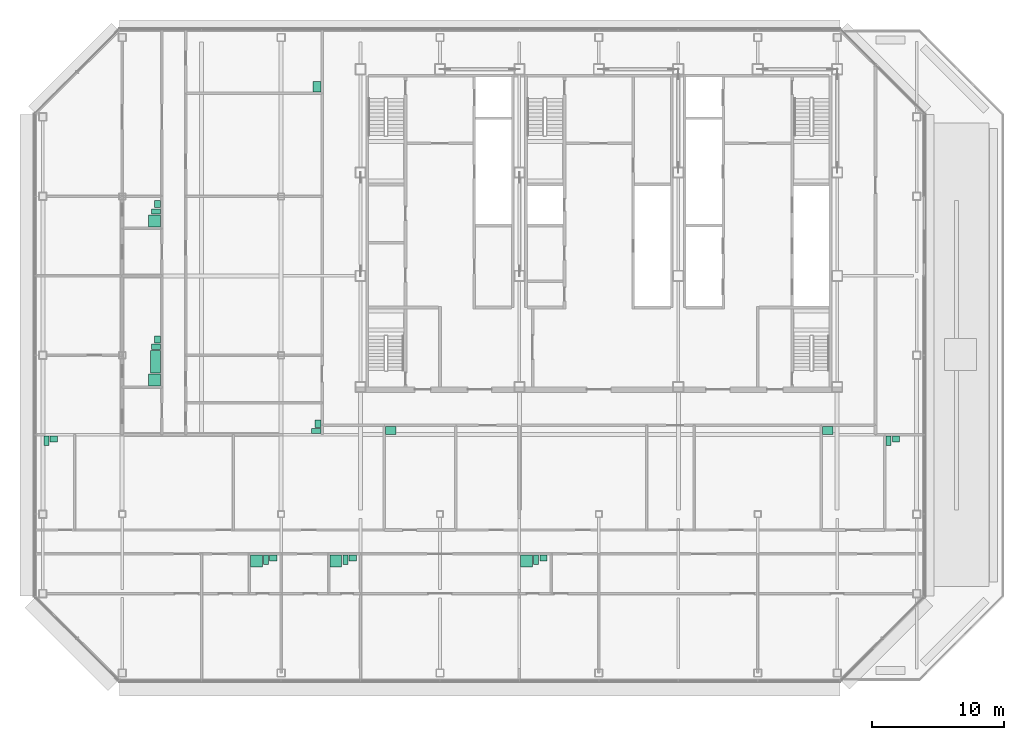
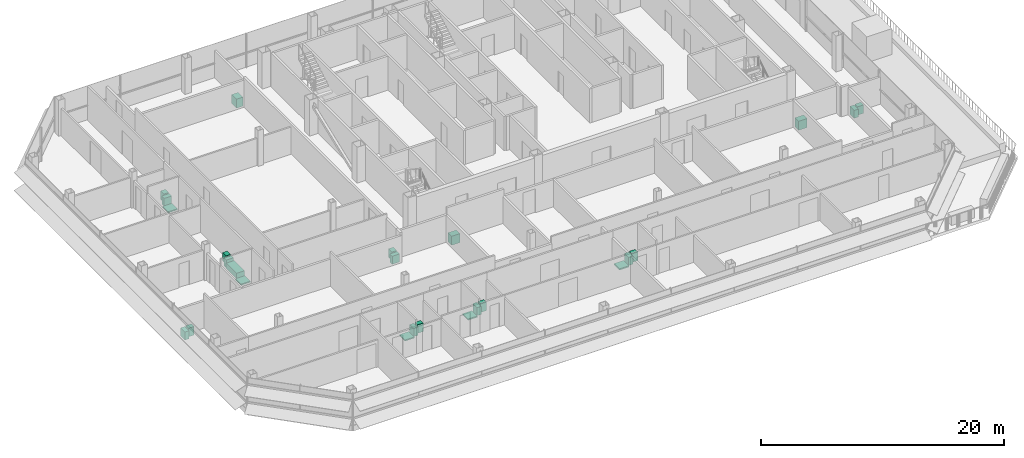
# One storey, part 27 of 28: 25 sanitary terminals.
"""IFC4 building model written with IfcOpenShell, lengths in metres."""

from ifc_helpers import new_model, si_unit, direction, frame, origin, origin_2d, place, context, subcontext, project, spatial, rectangle, extrude, element, save


model = new_model("IFC4")

# Units and contexts
model_context = context("Model", 3, precision=1e-05, world=origin(), true_north=direction((0.0, 1.0)))
body_context = subcontext(model_context, "Body", "Model", "MODEL_VIEW")
ifc_project = project(units=[si_unit("LENGTHUNIT", "METRE"), si_unit("AREAUNIT", "SQUARE_METRE"), si_unit("VOLUMEUNIT", "CUBIC_METRE"), si_unit("PLANEANGLEUNIT", "RADIAN"), si_unit("MASSUNIT", "GRAM", prefix="KILO")], contexts=[model_context])

# Site, building, storey
site_placement = place(None, origin())
site = spatial("IfcSite", under=ifc_project, at=site_placement, CompositionType="ELEMENT")
building_placement = place(site_placement, origin())
building = spatial("IfcBuilding", under=site, at=building_placement, Name="Sorahane Residences", CompositionType="ELEMENT")
storey_placement = place(building_placement, frame((0.0, 0.0, 290.800048828125)))
storey = spatial("IfcBuildingStorey", under=building, at=storey_placement, Name="L68", CompositionType="ELEMENT", Elevation=290.800048828125)

# Sanitary terminals
sanitary_terminal_1_placement = place(storey_placement, frame((-1.8701171875, 8.449951171875, 0.0), z_axis=(0.0, 0.0, 1.0), x_axis=(1.0, 0.0, 0.0)))
element("IfcSanitaryTerminal", 1, at=sanitary_terminal_1_placement, inside=storey, Name="Shower tray En-suite bathroom 68A", PredefinedType="SHOWER", context=body_context, shape_type="SweptSolid", body=[
    extrude(rectangle(XDim=0.89990234375, YDim=0.89990234375, at=origin_2d()), origin(), (0.0, 0.0, 1.0), 0.1201171875),
])
sanitary_terminal_2_placement = place(storey_placement, frame((-1.139892578125, 8.550048828125, 0.0), z_axis=(0.0, 0.0, 1.0), x_axis=(1.0, 0.0, 0.0)))
element("IfcSanitaryTerminal", 2, at=sanitary_terminal_2_placement, inside=storey, Name="WC pan En-suite bathroom 68A", PredefinedType="TOILETPAN", context=body_context, shape_type="SweptSolid", body=[
    extrude(rectangle(XDim=0.39990234375, YDim=0.699951171875, at=origin_2d()), origin(), (0.0, 0.0, 1.0), 0.800048828125),
])
sanitary_terminal_3_placement = place(storey_placement, frame((-0.5849609375, 8.675048828125, 0.0), z_axis=(0.0, 0.0, 1.0), x_axis=(1.0, 0.0, 0.0)))
element("IfcSanitaryTerminal", 3, at=sanitary_terminal_3_placement, inside=storey, Name="Wash basin En-suite bathroom 68A", PredefinedType="WASHHANDBASIN", context=body_context, shape_type="SweptSolid", body=[
    extrude(rectangle(XDim=0.550048828125, YDim=0.449951171875, at=origin_2d()), origin(), (0.0, 0.0, 1.0), 0.85009765625),
])
sanitary_terminal_4_placement = place(storey_placement, frame((4.1298828125, 8.449951171875, 0.0), z_axis=(0.0, 0.0, 1.0), x_axis=(1.0, 0.0, 0.0)))
element("IfcSanitaryTerminal", 4, at=sanitary_terminal_4_placement, inside=storey, Name="Shower tray En-suite bathroom 68A-2", PredefinedType="SHOWER", context=body_context, shape_type="SweptSolid", body=[
    extrude(rectangle(XDim=0.89990234375, YDim=0.89990234375, at=origin_2d()), origin(), (0.0, 0.0, 1.0), 0.1201171875),
])
sanitary_terminal_5_placement = place(storey_placement, frame((4.860107421875, 8.550048828125, 0.0), z_axis=(0.0, 0.0, 1.0), x_axis=(1.0, 0.0, 0.0)))
element("IfcSanitaryTerminal", 5, at=sanitary_terminal_5_placement, inside=storey, Name="WC pan En-suite bathroom 68A-2", PredefinedType="TOILETPAN", context=body_context, shape_type="SweptSolid", body=[
    extrude(rectangle(XDim=0.39990234375, YDim=0.699951171875, at=origin_2d()), origin(), (0.0, 0.0, 1.0), 0.800048828125),
])
sanitary_terminal_6_placement = place(storey_placement, frame((5.4150390625, 8.675048828125, 0.0), z_axis=(0.0, 0.0, 1.0), x_axis=(1.0, 0.0, 0.0)))
element("IfcSanitaryTerminal", 6, at=sanitary_terminal_6_placement, inside=storey, Name="Wash basin En-suite bathroom 68A-2", PredefinedType="WASHHANDBASIN", context=body_context, shape_type="SweptSolid", body=[
    extrude(rectangle(XDim=0.550048828125, YDim=0.449951171875, at=origin_2d()), origin(), (0.0, 0.0, 1.0), 0.85009765625),
])
sanitary_terminal_7_placement = place(storey_placement, frame((-17.719970703125, 17.550048828125, 0.0), z_axis=(0.0, 0.0, 1.0), x_axis=(1.0, 0.0, 0.0)))
element("IfcSanitaryTerminal", 7, at=sanitary_terminal_7_placement, inside=storey, Name="WC pan Guest WC 68A", PredefinedType="TOILETPAN", context=body_context, shape_type="SweptSolid", body=[
    extrude(rectangle(XDim=0.39990234375, YDim=0.699951171875, at=origin_2d()), origin(), (0.0, 0.0, 1.0), 0.800048828125),
])
sanitary_terminal_8_placement = place(storey_placement, frame((-17.1650390625, 17.675048828125, 0.0), z_axis=(0.0, 0.0, 1.0), x_axis=(1.0, 0.0, 0.0)))
element("IfcSanitaryTerminal", 8, at=sanitary_terminal_8_placement, inside=storey, Name="Wash basin Guest WC 68A", PredefinedType="WASHHANDBASIN", context=body_context, shape_type="SweptSolid", body=[
    extrude(rectangle(XDim=0.550048828125, YDim=0.449951171875, at=origin_2d()), origin(), (0.0, 0.0, 1.0), 0.85009765625),
])
sanitary_terminal_9_placement = place(storey_placement, frame((8.280029296875, 18.300048828125, 0.0), z_axis=(0.0, 0.0, 1.0), x_axis=(1.0, 0.0, 0.0)))
element("IfcSanitaryTerminal", 9, at=sanitary_terminal_9_placement, inside=storey, Name="Kitchen sink Kitchen 68A", PredefinedType="SINK", context=body_context, shape_type="SweptSolid", body=[
    extrude(rectangle(XDim=0.800048828125, YDim=0.60009765625, at=origin_2d()), origin(), (0.0, 0.0, 1.0), 0.89990234375),
])
sanitary_terminal_10_placement = place(storey_placement, frame((18.530029296875, 8.449951171875, 0.0), z_axis=(0.0, 0.0, 1.0), x_axis=(1.0, 0.0, 0.0)))
element("IfcSanitaryTerminal", 10, at=sanitary_terminal_10_placement, inside=storey, Name="Shower tray En-suite bathroom 68B", PredefinedType="SHOWER", context=body_context, shape_type="SweptSolid", body=[
    extrude(rectangle(XDim=0.89990234375, YDim=0.89990234375, at=origin_2d()), origin(), (0.0, 0.0, 1.0), 0.1201171875),
])
sanitary_terminal_11_placement = place(storey_placement, frame((19.260009765625, 8.550048828125, 0.0), z_axis=(0.0, 0.0, 1.0), x_axis=(1.0, 0.0, 0.0)))
element("IfcSanitaryTerminal", 11, at=sanitary_terminal_11_placement, inside=storey, Name="WC pan En-suite bathroom 68B", PredefinedType="TOILETPAN", context=body_context, shape_type="SweptSolid", body=[
    extrude(rectangle(XDim=0.39990234375, YDim=0.699951171875, at=origin_2d()), origin(), (0.0, 0.0, 1.0), 0.800048828125),
])
sanitary_terminal_12_placement = place(storey_placement, frame((19.81494140625, 8.675048828125, 0.0), z_axis=(0.0, 0.0, 1.0), x_axis=(1.0, 0.0, 0.0)))
element("IfcSanitaryTerminal", 12, at=sanitary_terminal_12_placement, inside=storey, Name="Wash basin En-suite bathroom 68B", PredefinedType="WASHHANDBASIN", context=body_context, shape_type="SweptSolid", body=[
    extrude(rectangle(XDim=0.550048828125, YDim=0.449951171875, at=origin_2d()), origin(), (0.0, 0.0, 1.0), 0.85009765625),
])
sanitary_terminal_13_placement = place(storey_placement, frame((41.280029296875, 18.300048828125, 0.0), z_axis=(0.0, 0.0, 1.0), x_axis=(1.0, 0.0, 0.0)))
element("IfcSanitaryTerminal", 13, at=sanitary_terminal_13_placement, inside=storey, Name="Kitchen sink Kitchen 68B", PredefinedType="SINK", context=body_context, shape_type="SweptSolid", body=[
    extrude(rectangle(XDim=0.800048828125, YDim=0.60009765625, at=origin_2d()), origin(), (0.0, 0.0, 1.0), 0.89990234375),
])
sanitary_terminal_14_placement = place(storey_placement, frame((45.8798828125, 17.550048828125, 0.0), z_axis=(0.0, 0.0, 1.0), x_axis=(1.0, 0.0, 0.0)))
element("IfcSanitaryTerminal", 14, at=sanitary_terminal_14_placement, inside=storey, Name="WC pan Powder room 68B", PredefinedType="TOILETPAN", context=body_context, shape_type="SweptSolid", body=[
    extrude(rectangle(XDim=0.39990234375, YDim=0.699951171875, at=origin_2d()), origin(), (0.0, 0.0, 1.0), 0.800048828125),
])
sanitary_terminal_15_placement = place(storey_placement, frame((46.43505859375, 17.675048828125, 0.0), z_axis=(0.0, 0.0, 1.0), x_axis=(1.0, 0.0, 0.0)))
element("IfcSanitaryTerminal", 15, at=sanitary_terminal_15_placement, inside=storey, Name="Wash basin Powder room 68B", PredefinedType="WASHHANDBASIN", context=body_context, shape_type="SweptSolid", body=[
    extrude(rectangle(XDim=0.550048828125, YDim=0.449951171875, at=origin_2d()), origin(), (0.0, 0.0, 1.0), 0.85009765625),
])
sanitary_terminal_16_placement = place(storey_placement, frame((-9.550048828125, 22.1298828125, 0.0), z_axis=(0.0, 0.0, 1.0), x_axis=(0.0, -1.0, 0.0)))
element("IfcSanitaryTerminal", 16, at=sanitary_terminal_16_placement, inside=storey, Name="Shower tray En-suite bathroom 68C", PredefinedType="SHOWER", context=body_context, shape_type="SweptSolid", body=[
    extrude(rectangle(XDim=0.89990234375, YDim=0.89990234375, at=origin_2d()), origin(), (0.0, 0.0, 1.0), 0.1201171875),
])
sanitary_terminal_17_placement = place(storey_placement, frame((-9.47509765625, 23.510009765625, 0.0), z_axis=(0.0, 0.0, 1.0), x_axis=(0.0, -1.0, 0.0)))
element("IfcSanitaryTerminal", 17, at=sanitary_terminal_17_placement, inside=storey, Name="Bath En-suite bathroom 68C", PredefinedType="BATH", context=body_context, shape_type="SweptSolid", body=[
    extrude(rectangle(XDim=1.699951171875, YDim=0.75, at=origin_2d()), origin(), (0.0, 0.0, 1.0), 0.56005859375),
])
sanitary_terminal_18_placement = place(storey_placement, frame((-9.449951171875, 24.639892578125, 0.0), z_axis=(0.0, 0.0, 1.0), x_axis=(0.0, -1.0, 0.0)))
element("IfcSanitaryTerminal", 18, at=sanitary_terminal_18_placement, inside=storey, Name="WC pan En-suite bathroom 68C", PredefinedType="TOILETPAN", context=body_context, shape_type="SweptSolid", body=[
    extrude(rectangle(XDim=0.39990234375, YDim=0.699951171875, at=origin_2d()), origin(), (0.0, 0.0, 1.0), 0.800048828125),
])
sanitary_terminal_19_placement = place(storey_placement, frame((-9.324951171875, 25.195068359375, 0.0), z_axis=(0.0, 0.0, 1.0), x_axis=(0.0, -1.0, 0.0)))
element("IfcSanitaryTerminal", 19, at=sanitary_terminal_19_placement, inside=storey, Name="Wash basin En-suite bathroom 68C", PredefinedType="WASHHANDBASIN", context=body_context, shape_type="SweptSolid", body=[
    extrude(rectangle(XDim=0.550048828125, YDim=0.449951171875, at=origin_2d()), origin(), (0.0, 0.0, 1.0), 0.85009765625),
])
sanitary_terminal_20_placement = place(storey_placement, frame((-9.550048828125, 34.1298828125, 0.0), z_axis=(0.0, 0.0, 1.0), x_axis=(0.0, -1.0, 0.0)))
element("IfcSanitaryTerminal", 20, at=sanitary_terminal_20_placement, inside=storey, Name="Shower tray En-suite bathroom 68C-2", PredefinedType="SHOWER", context=body_context, shape_type="SweptSolid", body=[
    extrude(rectangle(XDim=0.89990234375, YDim=0.89990234375, at=origin_2d()), origin(), (0.0, 0.0, 1.0), 0.1201171875),
])
sanitary_terminal_21_placement = place(storey_placement, frame((-9.449951171875, 34.860107421875, 0.0), z_axis=(0.0, 0.0, 1.0), x_axis=(0.0, -1.0, 0.0)))
element("IfcSanitaryTerminal", 21, at=sanitary_terminal_21_placement, inside=storey, Name="WC pan En-suite bathroom 68C-2", PredefinedType="TOILETPAN", context=body_context, shape_type="SweptSolid", body=[
    extrude(rectangle(XDim=0.39990234375, YDim=0.699951171875, at=origin_2d()), origin(), (0.0, 0.0, 1.0), 0.800048828125),
])
sanitary_terminal_22_placement = place(storey_placement, frame((-9.324951171875, 35.4150390625, 0.0), z_axis=(0.0, 0.0, 1.0), x_axis=(0.0, -1.0, 0.0)))
element("IfcSanitaryTerminal", 22, at=sanitary_terminal_22_placement, inside=storey, Name="Wash basin En-suite bathroom 68C-2", PredefinedType="WASHHANDBASIN", context=body_context, shape_type="SweptSolid", body=[
    extrude(rectangle(XDim=0.550048828125, YDim=0.449951171875, at=origin_2d()), origin(), (0.0, 0.0, 1.0), 0.85009765625),
])
sanitary_terminal_23_placement = place(storey_placement, frame((2.64990234375, 18.280029296875, 0.0), z_axis=(0.0, 0.0, 1.0), x_axis=(0.0, -1.0, 0.0)))
element("IfcSanitaryTerminal", 23, at=sanitary_terminal_23_placement, inside=storey, Name="WC pan Guest WC 68C", PredefinedType="TOILETPAN", context=body_context, shape_type="SweptSolid", body=[
    extrude(rectangle(XDim=0.39990234375, YDim=0.699951171875, at=origin_2d()), origin(), (0.0, 0.0, 1.0), 0.800048828125),
])
sanitary_terminal_24_placement = place(storey_placement, frame((2.77490234375, 18.8349609375, 0.0), z_axis=(0.0, 0.0, 1.0), x_axis=(0.0, -1.0, 0.0)))
element("IfcSanitaryTerminal", 24, at=sanitary_terminal_24_placement, inside=storey, Name="Wash basin Guest WC 68C", PredefinedType="WASHHANDBASIN", context=body_context, shape_type="SweptSolid", body=[
    extrude(rectangle(XDim=0.550048828125, YDim=0.449951171875, at=origin_2d()), origin(), (0.0, 0.0, 1.0), 0.85009765625),
])
sanitary_terminal_25_placement = place(storey_placement, frame((2.699951171875, 44.280029296875, 0.0), z_axis=(0.0, 0.0, 1.0), x_axis=(0.0, -1.0, 0.0)))
element("IfcSanitaryTerminal", 25, at=sanitary_terminal_25_placement, inside=storey, Name="Kitchen sink Kitchen 68C", PredefinedType="SINK", context=body_context, shape_type="SweptSolid", body=[
    extrude(rectangle(XDim=0.800048828125, YDim=0.60009765625, at=origin_2d()), origin(), (0.0, 0.0, 1.0), 0.89990234375),
])

save(model, "model.ifc")
